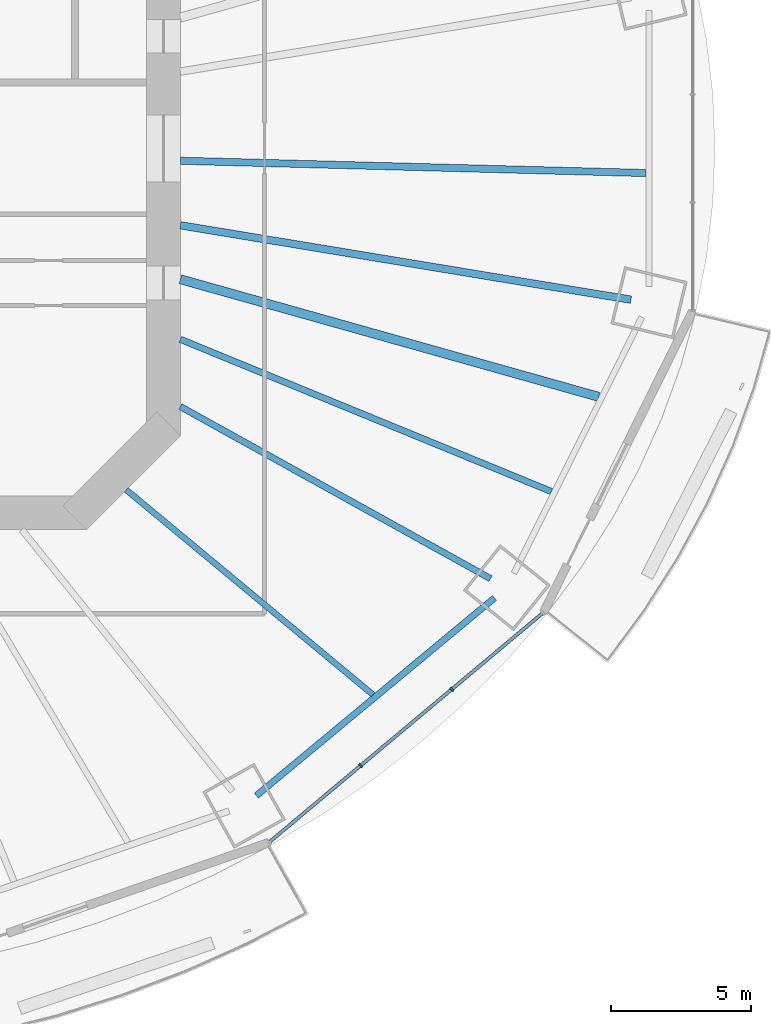
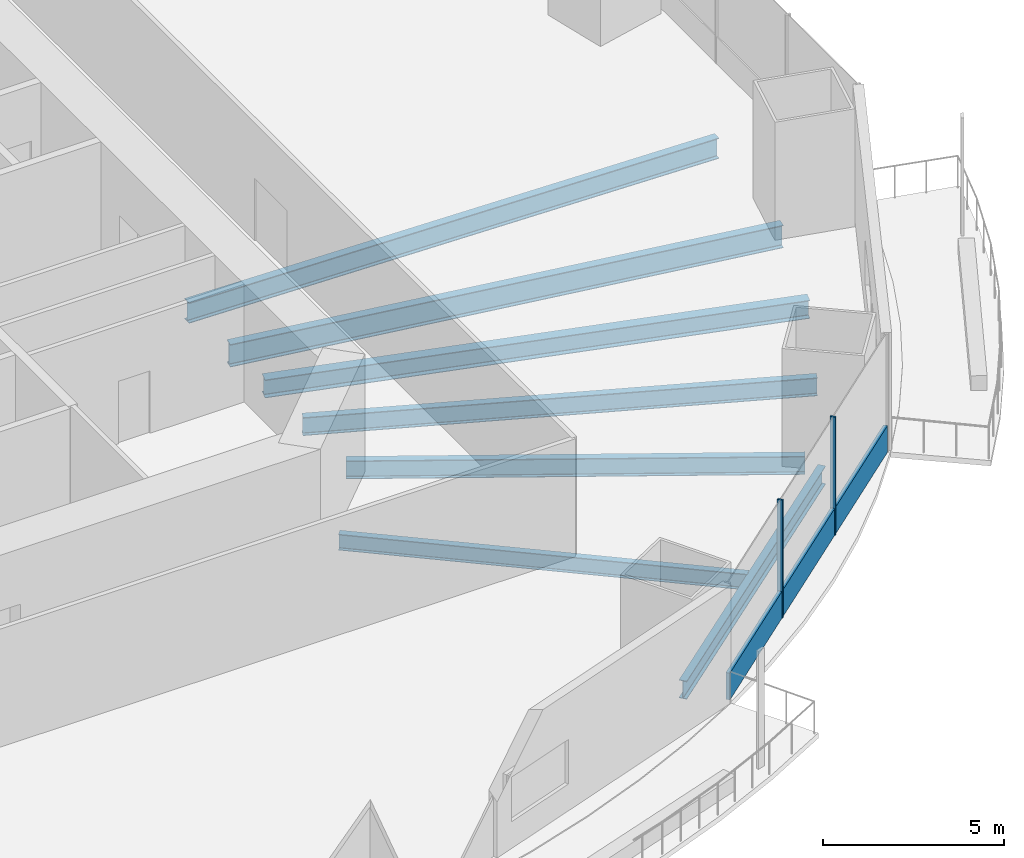
# One storey, part 5 of 22: 7 beams, 3 members, 1 element without a shape of its own.
"""IFC4 building model written with IfcOpenShell, lengths in metres."""

from ifc_helpers import new_model, si_unit, direction, frame, origin, origin_2d, place, context, subcontext, project, spatial, rectangle, i_section, extrude, material, material_profile, profile_set, type_object, element, aggregate, save


model = new_model("IFC4")

# Units and contexts
model_context = context("Model", 3, precision=1e-05, world=origin(), true_north=direction((0.0, 1.0)))
body_context = subcontext(model_context, "Body", "Model", "MODEL_VIEW")
ifc_project = project(units=[si_unit("LENGTHUNIT", "METRE"), si_unit("AREAUNIT", "SQUARE_METRE"), si_unit("VOLUMEUNIT", "CUBIC_METRE"), si_unit("PLANEANGLEUNIT", "RADIAN"), si_unit("MASSUNIT", "GRAM", prefix="KILO")], contexts=[model_context])

# Site, building, storey
site_placement = place(None, origin())
site = spatial("IfcSite", under=ifc_project, at=site_placement, CompositionType="ELEMENT")
building_placement = place(site_placement, origin())
building = spatial("IfcBuilding", under=site, at=building_placement, Name="Marenthal Gate Tower", CompositionType="ELEMENT")
storey_placement = place(building_placement, frame((0.0, 0.0, 74.5)))
storey = spatial("IfcBuildingStorey", under=building, at=storey_placement, Name="L14", CompositionType="ELEMENT", Elevation=74.5)

# Curtain wall, members
ifc_material_1 = material(Name="Aluminium and glass", Category="aluminium")
curtain_wall_type = type_object("IfcCurtainWallType", Name="Curtain wall typical low", PredefinedType="NOTDEFINED", material=ifc_material_1)
curtain_wall_placement = place(storey_placement, origin())
curtain_wall = element("IfcCurtainWall", 1, at=curtain_wall_placement, inside=storey, type_object=curtain_wall_type, Name="Curtain wall L14 bay 14", PredefinedType="NOTDEFINED")
ifc_material_2 = material(Name="Aluminium", Category="aluminium")
ifc_material_profile_1 = material_profile(ifc_material_2, rectangle(XDim=0.159912109375, YDim=0.06005859375, at=origin_2d()), Name="60x160 aluminium mullion")
ifc_profile_set_1 = profile_set([ifc_material_profile_1], Name="Aluminium")
member_type_1 = type_object("IfcMemberType", Name="Mullion 60x160 typical low", PredefinedType="MULLION", material=ifc_profile_set_1)
member_1_placement = place(storey_placement, frame((23.029541015625, -22.01904296875, 0.0), z_axis=(0.0, 0.0, 1.0), x_axis=(-0.642176178992, 0.76655707885, 0.0)))
member_1 = element("IfcMember", 2, at=member_1_placement, type_object=member_type_1, Name="Mullion L14 bay 14.2", PredefinedType="MULLION", context=body_context, shape_type="SweptSolid", body=[
    extrude(rectangle(XDim=0.159912109375, YDim=0.06005859375, at=origin_2d()), origin(), (0.0, 0.0, 1.0), 3.969970703125),
])
member_2_placement = place(storey_placement, frame((26.283935546875, -19.292724609375, 0.0), z_axis=(0.0, 0.0, 1.0), x_axis=(-0.642176178992, 0.76655707885, 0.0)))
member_2 = element("IfcMember", 3, at=member_2_placement, type_object=member_type_1, Name="Mullion L14 bay 14.3", PredefinedType="MULLION", context=body_context, shape_type="SweptSolid", body=[
    extrude(rectangle(XDim=0.159912109375, YDim=0.06005859375, at=origin_2d()), origin(), (0.0, 0.0, 1.0), 3.969970703125),
])
ifc_material_3 = material(Name="Aluminium", Category="aluminium")
ifc_material_profile_2 = material_profile(ifc_material_3, rectangle(XDim=0.1201171875, YDim=0.89990234375, at=origin_2d()), Name="120x900 aluminium transom")
ifc_profile_set_2 = profile_set([ifc_material_profile_2], Name="Aluminium")
member_type_2 = type_object("IfcMemberType", Name="Transom 120x900 typical low", PredefinedType="USERDEFINED", material=ifc_profile_set_2)
member_3_placement = place(storey_placement, frame((19.798095703125, -24.72607421875, 0.449951171875), z_axis=(0.766556354324, 0.642177043849, 0.0), x_axis=(-0.642177043849, 0.766556354324, 0.0)))
member_3 = element("IfcMember", 4, at=member_3_placement, type_object=member_type_2, Name="Transom L14 bay 14", ObjectType="TRANSOM", PredefinedType="USERDEFINED", context=body_context, shape_type="SweptSolid", body=[
    extrude(rectangle(XDim=0.1201171875, YDim=0.89990234375, at=origin_2d()), origin(), (0.0, 0.0, 1.0), 12.67626953125),
])
aggregate(curtain_wall, [member_1, member_2, member_3])

# Beams
ifc_material_4 = material(Name="Steel S355", Category="steel")
ifc_material_profile_3 = material_profile(ifc_material_4, i_section(OverallWidth=0.2099609375, OverallDepth=0.535888671875, WebThickness=0.010986328125, FlangeThickness=0.017333984375, FilletRadius=0.0126953125, at=origin_2d()), Name="W530X101")
ifc_profile_set_3 = profile_set([ifc_material_profile_3], Name="Steel S355")
beam_type_1 = type_object("IfcBeamType", Name="W530X101 beam", PredefinedType="BEAM", material=ifc_profile_set_3)
beam_1_placement = place(storey_placement, frame((23.47119140625, -19.485595703125, -0.447998046875), z_axis=(-0.769402561639, 0.638764196041, 0.0), x_axis=(-0.638764196041, -0.769402561639, 0.0)))
element("IfcBeam", 5, at=beam_1_placement, inside=storey, type_object=beam_type_1, Name="BM-L14-37", PredefinedType="BEAM", context=body_context, shape_type="SweptSolid", body=[
    extrude(i_section(OverallWidth=0.2099609375, OverallDepth=0.535888671875, WebThickness=0.010986328125, FlangeThickness=0.017333984375, FilletRadius=0.0126953125, at=origin_2d()), origin(), (0.0, 0.0, 1.0), 11.439208984375),
])
ifc_material_5 = material(Name="Steel S355", Category="steel")
ifc_material_profile_4 = material_profile(ifc_material_5, i_section(OverallWidth=0.22900390625, OverallDepth=0.612060546875, WebThickness=0.011962890625, FlangeThickness=0.01953125, FilletRadius=0.0126953125, at=origin_2d()), Name="W610X125")
ifc_profile_set_4 = profile_set([ifc_material_profile_4], Name="Steel S355")
beam_type_2 = type_object("IfcBeamType", Name="W610X125 beam", PredefinedType="BEAM", material=ifc_profile_set_4)
beam_2_placement = place(storey_placement, frame((27.6640625, -15.345703125, -0.486083984375), z_axis=(-0.874465657006, 0.485087429972, 0.0), x_axis=(-0.485087429972, -0.874465657006, 0.0)))
element("IfcBeam", 6, at=beam_2_placement, inside=storey, type_object=beam_type_2, Name="BM-L14-15", PredefinedType="BEAM", context=body_context, shape_type="SweptSolid", body=[
    extrude(i_section(OverallWidth=0.22900390625, OverallDepth=0.612060546875, WebThickness=0.011962890625, FlangeThickness=0.01953125, FilletRadius=0.0126953125, at=origin_2d()), origin(), (0.0, 0.0, 1.0), 12.65234375),
])
beam_3_placement = place(storey_placement, frame((29.840087890625, -12.239990234375, -0.486083984375), z_axis=(-0.925190275705, 0.379503562225, 0.0), x_axis=(-0.379503562225, -0.925190275705, 0.0)))
element("IfcBeam", 7, at=beam_3_placement, inside=storey, type_object=beam_type_2, Name="BM-L14-38", PredefinedType="BEAM", context=body_context, shape_type="SweptSolid", body=[
    extrude(i_section(OverallWidth=0.22900390625, OverallDepth=0.612060546875, WebThickness=0.011962890625, FlangeThickness=0.01953125, FilletRadius=0.0126953125, at=origin_2d()), origin(), (0.0, 0.0, 1.0), 14.310546875),
])
beam_4_placement = place(storey_placement, frame((19.311767578125, -23.087646484375, -0.486083984375), z_axis=(0.769405168871, 0.638761055571, 0.0), x_axis=(-0.638761055571, 0.769405168871, 0.0)))
element("IfcBeam", 8, at=beam_4_placement, inside=storey, type_object=beam_type_2, Name="BM-L14-54", PredefinedType="BEAM", context=body_context, shape_type="SweptSolid", body=[
    extrude(i_section(OverallWidth=0.22900390625, OverallDepth=0.612060546875, WebThickness=0.011962890625, FlangeThickness=0.01953125, FilletRadius=0.0126953125, at=origin_2d()), origin(), (0.0, 0.0, 1.0), 11.04248046875),
])
ifc_material_6 = material(Name="Steel S355", Category="steel")
ifc_material_profile_5 = material_profile(ifc_material_6, i_section(OverallWidth=0.324951171875, OverallDepth=0.612060546875, WebThickness=0.0126953125, FlangeThickness=0.01904296875, FilletRadius=0.0126953125, at=origin_2d()), Name="W610X155")
ifc_profile_set_5 = profile_set([ifc_material_profile_5], Name="Steel S355")
beam_type_3 = type_object("IfcBeamType", Name="W610X155 beam", PredefinedType="BEAM", material=ifc_profile_set_5)
beam_5_placement = place(storey_placement, frame((31.525390625, -8.862060546875, -0.486083984375), z_axis=(-0.962687612966, 0.270615150797, 0.0), x_axis=(-0.270615150797, -0.962687612966, 0.0)))
element("IfcBeam", 9, at=beam_5_placement, inside=storey, type_object=beam_type_3, Name="BM-L14-39", PredefinedType="BEAM", context=body_context, shape_type="SweptSolid", body=[
    extrude(i_section(OverallWidth=0.324951171875, OverallDepth=0.612060546875, WebThickness=0.0126953125, FlangeThickness=0.01904296875, FilletRadius=0.0126953125, at=origin_2d()), origin(), (0.0, 0.0, 1.0), 15.503662109375),
])
ifc_material_7 = material(Name="Steel S355", Category="steel")
ifc_material_profile_6 = material_profile(ifc_material_7, i_section(OverallWidth=0.257080078125, OverallDepth=0.693115234375, WebThickness=0.014404296875, FlangeThickness=0.023681640625, FilletRadius=0.015380859375, at=origin_2d()), Name="W690X170")
ifc_profile_set_6 = profile_set([ifc_material_profile_6], Name="Steel S355")
beam_type_4 = type_object("IfcBeamType", Name="W690X170 beam", PredefinedType="BEAM", material=ifc_profile_set_6)
beam_6_placement = place(storey_placement, frame((33.214111328125, -0.877685546875, -0.526611328125), z_axis=(-0.999651138497, 0.026412143055, 0.0), x_axis=(-0.026412143055, -0.999651138497, 0.0)))
element("IfcBeam", 10, at=beam_6_placement, inside=storey, type_object=beam_type_4, Name="BM-L14-40", PredefinedType="BEAM", context=body_context, shape_type="SweptSolid", body=[
    extrude(i_section(OverallWidth=0.257080078125, OverallDepth=0.693115234375, WebThickness=0.014404296875, FlangeThickness=0.023681640625, FilletRadius=0.015380859375, at=origin_2d()), origin(), (0.0, 0.0, 1.0), 16.619873046875),
])
ifc_material_8 = material(Name="Steel S355", Category="steel")
ifc_material_profile_7 = material_profile(ifc_material_8, i_section(OverallWidth=0.26708984375, OverallDepth=0.761962890625, WebThickness=0.014404296875, FlangeThickness=0.021484375, FilletRadius=0.0166015625, at=origin_2d()), Name="W760X173")
ifc_profile_set_7 = profile_set([ifc_material_profile_7], Name="Steel S355")
beam_type_5 = type_object("IfcBeamType", Name="W760X173 beam", PredefinedType="BEAM", material=ifc_profile_set_7)
beam_7_placement = place(storey_placement, frame((32.676025390625, -5.39599609375, -0.56103515625), z_axis=(-0.986637030798, 0.162933635137, 0.0), x_axis=(-0.162933635137, -0.986637030798, 0.0)))
element("IfcBeam", 11, at=beam_7_placement, inside=storey, type_object=beam_type_5, Name="BM-L14-16", PredefinedType="BEAM", context=body_context, shape_type="SweptSolid", body=[
    extrude(i_section(OverallWidth=0.26708984375, OverallDepth=0.761962890625, WebThickness=0.014404296875, FlangeThickness=0.021484375, FilletRadius=0.0166015625, at=origin_2d()), origin(), (0.0, 0.0, 1.0), 16.293701171875),
])

save(model, "model.ifc")
